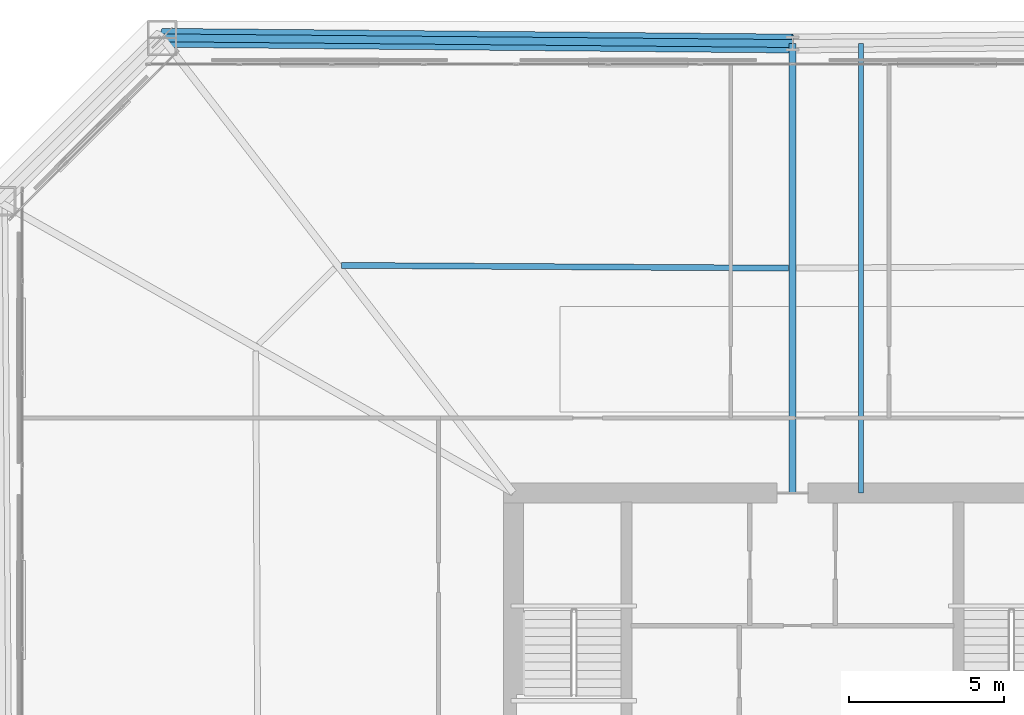
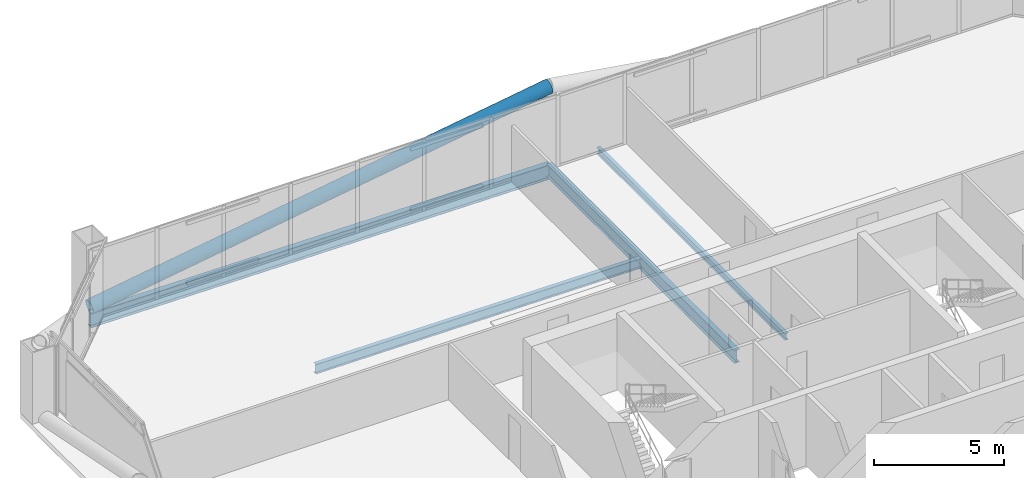
# One storey, part 34 of 50: 4 beams, 1 member.
"""IFC4 building model written with IfcOpenShell, lengths in metres."""

from ifc_helpers import new_model, si_unit, direction, frame, origin, origin_2d, place, context, subcontext, project, spatial, hollow_circle, i_section, extrude, material, material_profile, profile_set, type_object, element, save


model = new_model("IFC4")

# Units and contexts
model_context = context("Model", 3, precision=1e-05, world=origin(), true_north=direction((0.0, 1.0)))
body_context = subcontext(model_context, "Body", "Model", "MODEL_VIEW")
ifc_project = project(units=[si_unit("LENGTHUNIT", "METRE"), si_unit("AREAUNIT", "SQUARE_METRE"), si_unit("VOLUMEUNIT", "CUBIC_METRE"), si_unit("PLANEANGLEUNIT", "RADIAN"), si_unit("MASSUNIT", "GRAM", prefix="KILO")], contexts=[model_context])

# Site, building, storey
site_placement = place(None, origin())
site = spatial("IfcSite", under=ifc_project, at=site_placement, CompositionType="ELEMENT")
building_placement = place(site_placement, origin())
building = spatial("IfcBuilding", under=site, at=building_placement, Name="Caelvoria Tower", CompositionType="ELEMENT")
storey_placement = place(building_placement, frame((0.0, 0.0, 71.199951171875)))
storey = spatial("IfcBuildingStorey", under=building, at=storey_placement, Name="L18", CompositionType="ELEMENT", Elevation=71.199951171875)

# Beam
ifc_material_1 = material(Name="Structural Steel ASTM A992 Gr.50", Category="steel")
ifc_material_profile_1 = material_profile(ifc_material_1, i_section(OverallWidth=0.166015625, OverallDepth=0.31298828125, WebThickness=0.006591796875, FlangeThickness=0.01123046875, FilletRadius=0.011962890625, at=origin_2d()), Name="Structural Steel ASTM A992 Gr.50")
ifc_profile_set_1 = profile_set([ifc_material_profile_1], Name="W310X44.5 - Structural Steel ASTM A992 Gr.50")
beam_type_1 = type_object("IfcBeamType", Name="Composite Floor Intermediate Joist W310X44.5", PredefinedType="JOIST", material=ifc_profile_set_1)
beam_1_placement = place(storey_placement, frame((48.199951171875, 40.0, -0.39697265625), z_axis=(0.0, 1.0, 0.0), x_axis=(-1.0, 0.0, 0.0)))
element("IfcBeam", 1, at=beam_1_placement, inside=storey, type_object=beam_type_1, Name="Intermediate Floor Joist L18 North", PredefinedType="JOIST", context=body_context, shape_type="SweptSolid", body=[
    extrude(i_section(OverallWidth=0.166015625, OverallDepth=0.31298828125, WebThickness=0.006591796875, FlangeThickness=0.01123046875, FilletRadius=0.011962890625, at=origin_2d()), origin(), (0.0, 0.0, 1.0), 14.47998046875),
])

# Member
ifc_material_2 = material(Name="Structural Steel ASTM A572 Gr.50", Category="steel")
ifc_material_profile_2 = material_profile(ifc_material_2, hollow_circle(Radius=0.304931640625, WallThickness=0.02490234375, at=origin_2d()), Name="Structural Steel ASTM A572 Gr.50")
ifc_profile_set_2 = profile_set([ifc_material_profile_2], Name="CHS610X25 - Structural Steel ASTM A572 Gr.50")
member_type = type_object("IfcMemberType", Name="Lower Perimeter Mega Brace CHS610X25", PredefinedType="BRACE", material=ifc_profile_set_2)
member_placement = place(storey_placement, frame((25.6806640625, 54.663818359375, 0.0), z_axis=(0.986562079401, -0.008925857233, 0.16314285936), x_axis=(0.009047065688, 0.999959074464, 0.0)))
element("IfcMember", 2, at=member_placement, inside=storey, type_object=member_type, Name="Perimeter Cardinal Mega Brace L18 NB", PredefinedType="BRACE", context=body_context, shape_type="SweptSolid", body=[
    extrude(hollow_circle(Radius=0.304931640625, WallThickness=0.02490234375, at=origin_2d()), origin(), (0.0, 0.0, 1.0), 20.59619140625),
])

# Beams
ifc_material_profile_3 = material_profile(ifc_material_1, i_section(OverallWidth=0.25390625, OverallDepth=0.68798828125, WebThickness=0.01318359375, FlangeThickness=0.02099609375, FilletRadius=0.01904296875, at=origin_2d()), Name="Structural Steel ASTM A992 Gr.50")
ifc_profile_set_3 = profile_set([ifc_material_profile_3], Name="W690X152 - Structural Steel ASTM A992 Gr.50")
beam_type_2 = type_object("IfcBeamType", Name="Perimeter Spandrel Girder W690X152", PredefinedType="BEAM", material=ifc_profile_set_3)
beam_2_placement = place(storey_placement, frame((46.0, 54.47998046875, -0.583984375), z_axis=(-0.999959074464, 0.009047065688, 0.0), x_axis=(-0.009047065688, -0.999959074464, 0.0)))
element("IfcBeam", 3, at=beam_2_placement, inside=storey, type_object=beam_type_2, Name="Perimeter Spandrel Girder L18-07", PredefinedType="BEAM", context=body_context, shape_type="SweptSolid", body=[
    extrude(i_section(OverallWidth=0.25390625, OverallDepth=0.68798828125, WebThickness=0.01318359375, FlangeThickness=0.02099609375, FilletRadius=0.01904296875, at=origin_2d()), origin(), (0.0, 0.0, 1.0), 20.320068359375),
])
ifc_material_profile_4 = material_profile(ifc_material_1, i_section(OverallWidth=0.22900390625, OverallDepth=0.612060546875, WebThickness=0.011962890625, FlangeThickness=0.01953125, FilletRadius=0.01806640625, at=origin_2d()), Name="Structural Steel ASTM A992 Gr.50")
ifc_profile_set_4 = profile_set([ifc_material_profile_4], Name="W610X125 - Structural Steel ASTM A992 Gr.50")
beam_type_3 = type_object("IfcBeamType", Name="Primary Radial Floor Girder W610X125", PredefinedType="BEAM", material=ifc_profile_set_4)
beam_3_placement = place(storey_placement, frame((46.0, 40.0, -0.5458984375), z_axis=(0.0, 1.0, 0.0), x_axis=(-1.0, 0.0, 0.0)))
element("IfcBeam", 4, at=beam_3_placement, inside=storey, type_object=beam_type_3, Name="Primary Floor Girder L18-07", PredefinedType="BEAM", context=body_context, shape_type="SweptSolid", body=[
    extrude(i_section(OverallWidth=0.22900390625, OverallDepth=0.612060546875, WebThickness=0.011962890625, FlangeThickness=0.01953125, FilletRadius=0.01806640625, at=origin_2d()), origin(), (0.0, 0.0, 1.0), 14.47998046875),
])
ifc_material_profile_5 = material_profile(ifc_material_1, i_section(OverallWidth=0.18994140625, OverallDepth=0.45703125, WebThickness=0.009033203125, FlangeThickness=0.014404296875, FilletRadius=0.014892578125, at=origin_2d()), Name="Structural Steel ASTM A992 Gr.50")
ifc_profile_set_5 = profile_set([ifc_material_profile_5], Name="W460X74 - Structural Steel ASTM A992 Gr.50")
beam_type_4 = type_object("IfcBeamType", Name="Secondary Floor Beam W460X74", PredefinedType="BEAM", material=ifc_profile_set_5)
beam_4_placement = place(storey_placement, frame((45.875, 47.24072265625, -0.468505859375), z_axis=(-0.999980351346, 0.006268725729, 0.0), x_axis=(-0.006268725729, -0.999980351346, 0.0)))
element("IfcBeam", 5, at=beam_4_placement, inside=storey, type_object=beam_type_4, Name="Secondary Floor Beam L18-07", PredefinedType="BEAM", context=body_context, shape_type="SweptSolid", body=[
    extrude(i_section(OverallWidth=0.18994140625, OverallDepth=0.45703125, WebThickness=0.009033203125, FlangeThickness=0.014404296875, FilletRadius=0.014892578125, at=origin_2d()), origin(), (0.0, 0.0, 1.0), 14.409912109375),
])

save(model, "model.ifc")
